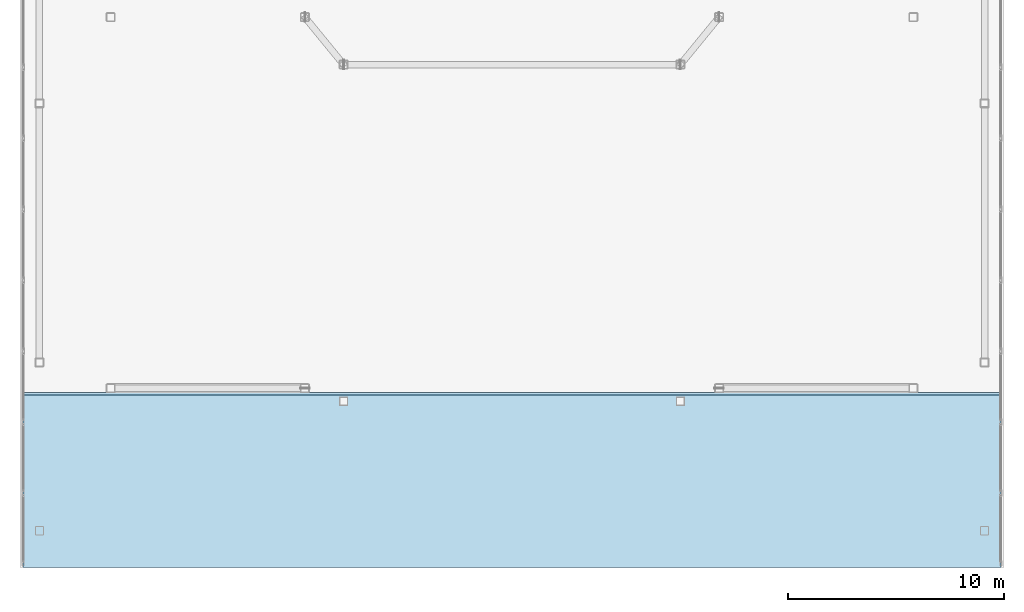
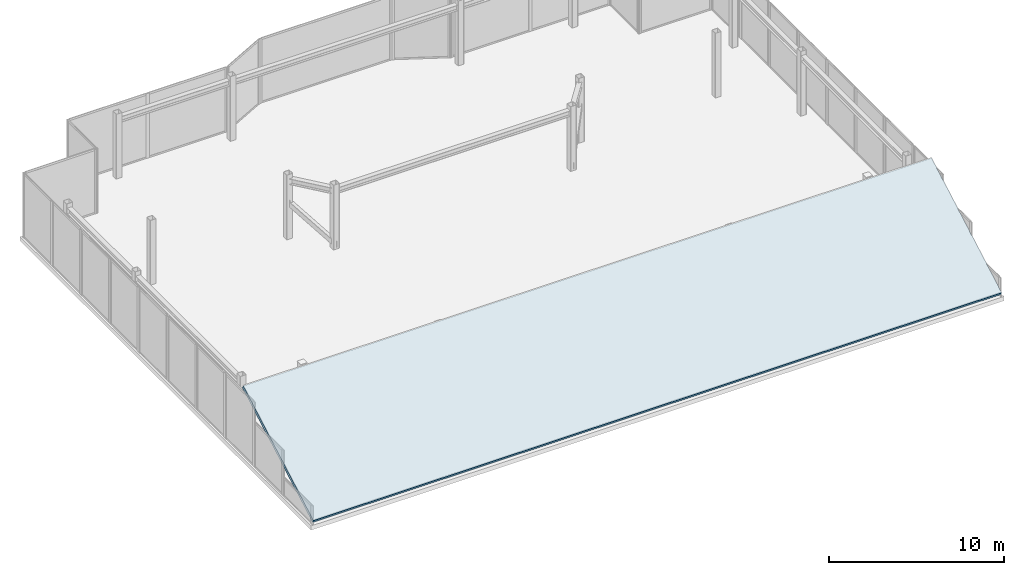
# One storey, part 14 of 15: 1 roof.
"""IFC4 building model written with IfcOpenShell, lengths in metres."""

import ifcopenshell
import ifcopenshell.guid

model = None  # the IFC model being written
_history = None  # IfcOwnerHistory: only IFC2X3 demands one
_inside = {}  # id of a spatial element -> (the spatial element, [elements in it])
_under = {}  # id of a project, library or spatial element -> (it, [spatial elements below it])
_declared = {}  # id of a project -> (the project, [libraries it declares])
_typed = {}  # id of a type object -> (the type object, [elements of that type])
_made_of = {}  # id of a material, layer set ... -> (it, [elements and type objects made of it])


def new_model(schema):
    """Start an empty IFC model of exactly this schema.

    Asked for "IFC4X3", IfcOpenShell would pick the latest addendum, in which some entities
    have other attributes; the version numbers below select the first issue.
    IFC2X3 requires an IfcOwnerHistory on every rooted entity: one is made here for all.
    """
    global model, _history
    if schema == "IFC4X3":
        model = ifcopenshell.file(schema_version=(4, 3, 0, 0))
    else:
        model = ifcopenshell.file(schema=schema)
    _inside.clear()
    _under.clear()
    _declared.clear()
    _typed.clear()
    _made_of.clear()
    _history = None
    if model.schema == "IFC2X3":
        org = make("IfcOrganization", Name="unknown")
        user = make(
            "IfcPersonAndOrganization",
            ThePerson=make("IfcPerson", FamilyName="unknown"),
            TheOrganization=org,
        )
        app = make(
            "IfcApplication",
            ApplicationDeveloper=org,
            Version="unknown",
            ApplicationFullName="unknown",
            ApplicationIdentifier="unknown",
        )
        _history = make(
            "IfcOwnerHistory",
            OwningUser=user,
            OwningApplication=app,
            ChangeAction="ADDED",
            CreationDate=0,
        )
    return model


def make(cls, **values):
    """One entity of the class cls with the attributes given. An attribute that is None is left unset."""
    return model.create_entity(
        cls, **{name: value for name, value in values.items() if value is not None}
    )


def rooted(cls, **values):
    """An entity with a GlobalId (a new one), such as an element, a storey or a relation."""
    return make(cls, GlobalId=ifcopenshell.guid.new(), OwnerHistory=_history, **values)


def si_unit(unit_type, name, prefix=None):
    """IfcSIUnit, for example si_unit("LENGTHUNIT", "METRE", prefix="MILLI")."""
    return make("IfcSIUnit", UnitType=unit_type, Prefix=prefix, Name=name)


def assignment(units):
    """IfcUnitAssignment: the units of a project."""
    return None if units is None else make("IfcUnitAssignment", Units=units)


def point(xyz):
    """IfcCartesianPoint."""
    return None if xyz is None else make("IfcCartesianPoint", Coordinates=xyz)


def direction(xyz):
    """IfcDirection."""
    return None if xyz is None else make("IfcDirection", DirectionRatios=xyz)


def frame(location, z_axis=None, x_axis=None):
    """IfcAxis2Placement3D, a coordinate frame: its origin and axes. An axis left out is left unset."""
    return make(
        "IfcAxis2Placement3D",
        Location=point(location),
        Axis=direction(z_axis),
        RefDirection=direction(x_axis),
    )


def origin():
    """The frame at (0, 0, 0) with its axes left unset."""
    return frame((0.0, 0.0, 0.0))


def place(relative_to, where):
    """IfcLocalPlacement: puts the frame where relative to a parent placement (None: the world)."""
    return make(
        "IfcLocalPlacement", PlacementRelTo=relative_to, RelativePlacement=where
    )


def context(
    kind, dimensions, precision=None, world=None, true_north=None, identifier=None
):
    """IfcGeometricRepresentationContext, for example the 3D "Model" context."""
    return make(
        "IfcGeometricRepresentationContext",
        ContextIdentifier=identifier,
        ContextType=kind,
        CoordinateSpaceDimension=dimensions,
        Precision=precision,
        WorldCoordinateSystem=world,
        TrueNorth=true_north,
    )


def subcontext(parent, identifier, kind, view, scale=None):
    """IfcGeometricRepresentationSubContext, for example "Body" below "Model"."""
    return make(
        "IfcGeometricRepresentationSubContext",
        ContextIdentifier=identifier,
        ContextType=kind,
        ParentContext=parent,
        TargetScale=scale,
        TargetView=view,
    )


def project(units=None, contexts=None):
    """IfcProject with its units and contexts."""
    return rooted(
        "IfcProject",
        Name="project",
        RepresentationContexts=contexts,
        UnitsInContext=assignment(units),
    )


def spatial(cls, under=None, at=None, **own):
    """A site, building, storey or space (cls), placed at a placement, below another one or the project."""
    s = rooted(cls, ObjectPlacement=at, **own)
    if under is not None:
        _under.setdefault(under.id(), (under, []))[1].append(s)
    return s


def polyline(points):
    """IfcPolyline through the points."""
    return make("IfcPolyline", Points=[point(p) for p in points])


def outline(outer, holes=None, kind="AREA"):
    """IfcArbitraryClosedProfileDef: a profile drawn as a closed curve; with holes, ...WithVoids."""
    if holes is None:
        return make("IfcArbitraryClosedProfileDef", ProfileType=kind, OuterCurve=outer)
    return make(
        "IfcArbitraryProfileDefWithVoids",
        ProfileType=kind,
        OuterCurve=outer,
        InnerCurves=holes,
    )


def extrude(swept, where, along, depth):
    """IfcExtrudedAreaSolid: the profile swept, set in the frame where, extruded along a direction by depth."""
    return make(
        "IfcExtrudedAreaSolid",
        SweptArea=swept,
        Position=where,
        ExtrudedDirection=direction(along),
        Depth=depth,
    )


def shape(context_of_items, identifier, shape_type, items):
    """IfcShapeRepresentation: the items that make up one representation, for example the "Body"."""
    return make(
        "IfcShapeRepresentation",
        ContextOfItems=context_of_items,
        RepresentationIdentifier=identifier,
        RepresentationType=shape_type,
        Items=items,
    )


def material(Name=None, Category=None):
    """IfcMaterial."""
    return make("IfcMaterial", Name=Name, Category=Category)


def layer(
    of_material, thickness, ventilated=None, Name=None, Category=None, Priority=None
):
    """IfcMaterialLayer: one layer of a wall or slab, of a material (None: an air gap)."""
    return make(
        "IfcMaterialLayer",
        Material=of_material,
        LayerThickness=thickness,
        IsVentilated=ventilated,
        Name=Name,
        Category=Category,
        Priority=Priority,
    )


def layer_set(layers, Name=None):
    """IfcMaterialLayerSet."""
    return make("IfcMaterialLayerSet", MaterialLayers=layers, LayerSetName=Name)


def made_of(thing, what):
    """Note that an element or type object is made of a material, layer set ...; save() writes the relation."""
    if what is not None:
        _made_of.setdefault(what.id(), (what, []))[1].append(thing)
    return thing


def type_object(cls, material=None, **own):
    """A type object (cls), such as IfcWallType, which elements share."""
    return made_of(rooted(cls, **own), material)


def element(
    cls,
    number,
    at=None,
    inside=None,
    cuts=None,
    type_object=None,
    material=None,
    context=None,
    identifier="Body",
    shape_type=None,
    held_by="IfcProductDefinitionShape",
    body=None,
    shapes=None,
    **own,
):
    """One element of the class cls, such as IfcWall. Its Tag is "e" and its number.

    at: its placement. inside: the storey or other place that contains it. cuts: it is an
    opening in that element (IfcRelVoidsElement). A single representation is given by context,
    identifier, shape_type and body (its items); several are given by shapes. held_by: the class
    of the entity that holds the representations. save() writes the other relations.
    """
    e = rooted(cls, Tag="e%d" % number, ObjectPlacement=at, **own)
    if body is not None:
        shapes = [shape(context, identifier, shape_type, body)]
    if shapes is not None:
        e.Representation = make(held_by, Representations=shapes)
    if inside is not None:
        _inside.setdefault(inside.id(), (inside, []))[1].append(e)
    if cuts is not None:
        rooted(
            "IfcRelVoidsElement", RelatingBuildingElement=cuts, RelatedOpeningElement=e
        )
    if type_object is not None:
        _typed.setdefault(type_object.id(), (type_object, []))[1].append(e)
    return made_of(e, material)


def aggregate(whole, parts):
    """IfcRelAggregates: a whole, such as a stair, and the parts it consists of."""
    return rooted("IfcRelAggregates", RelatingObject=whole, RelatedObjects=parts)


def save(model, path):
    """Write the relations noted so far, then the file.

    IfcRelAggregates (storeys below a building ...), IfcRelContainedInSpatialStructure (elements
    in a storey), IfcRelDefinesByType, IfcRelAssociatesMaterial and IfcRelDeclares: one each for
    every whole, place, type object, material and project.
    """
    for whole, parts in _under.values():
        aggregate(whole, parts)
    for where, things in _inside.values():
        rooted(
            "IfcRelContainedInSpatialStructure",
            RelatedElements=things,
            RelatingStructure=where,
        )
    for kind, things in _typed.values():
        rooted("IfcRelDefinesByType", RelatedObjects=things, RelatingType=kind)
    for what, things in _made_of.values():
        rooted("IfcRelAssociatesMaterial", RelatedObjects=things, RelatingMaterial=what)
    for by, libraries in _declared.values():
        rooted("IfcRelDeclares", RelatingContext=by, RelatedDefinitions=libraries)
    model.write(path)


model = new_model("IFC4")

# Units and contexts
model_context = context("Model", 3, precision=1e-05, world=origin(), true_north=direction((0.0, 1.0)))
body_context = subcontext(model_context, "Body", "Model", "MODEL_VIEW")
ifc_project = project(units=[si_unit("LENGTHUNIT", "METRE"), si_unit("AREAUNIT", "SQUARE_METRE"), si_unit("VOLUMEUNIT", "CUBIC_METRE"), si_unit("PLANEANGLEUNIT", "RADIAN"), si_unit("MASSUNIT", "GRAM", prefix="KILO")], contexts=[model_context])

# Site, building, storey
site_placement = place(None, origin())
site = spatial("IfcSite", under=ifc_project, at=site_placement, CompositionType="ELEMENT")
building_placement = place(site_placement, origin())
building = spatial("IfcBuilding", under=site, at=building_placement, Name="Tarnavaz Court Tower", CompositionType="ELEMENT")
storey_placement = place(building_placement, frame((0.0, 0.0, 295.050048828125)))
storey = spatial("IfcBuildingStorey", under=building, at=storey_placement, Name="C04", CompositionType="ELEMENT", Elevation=295.050048828125)

# Roof
ifc_material = material(Name="Precast Concrete C40/50", Category="concrete")
ifc_layer = layer(ifc_material, 0.219970703125)
ifc_layer_set = layer_set([ifc_layer], Name="Precast Concrete C40/50")
roof_type = type_object("IfcRoofType", Name="RF-CROWN-220", PredefinedType="SHED_ROOF", material=ifc_layer_set)
roof_placement = place(storey_placement, frame((-22.64990234375, -7.5, 4.833251953125), z_axis=(0.0, -0.492277818231, 0.870438136617), x_axis=(1.0, 0.0, 0.0)))
element("IfcRoof", 1, at=roof_placement, inside=storey, type_object=roof_type, Name="C04 Slanted-Cut Crown Roof Deck ALL", PredefinedType="SHED_ROOF", context=body_context, shape_type="SweptSolid", body=[
    extrude(outline(polyline([(0.0, 0.0), (45.2998046875, 0.0), (45.2998046875, -9.19077377639923), (0.0, -9.19077377639923), (0.0, 0.0)])), origin(), (0.0, 0.0, -1.0), 0.219970703125),
])

save(model, "model.ifc")
